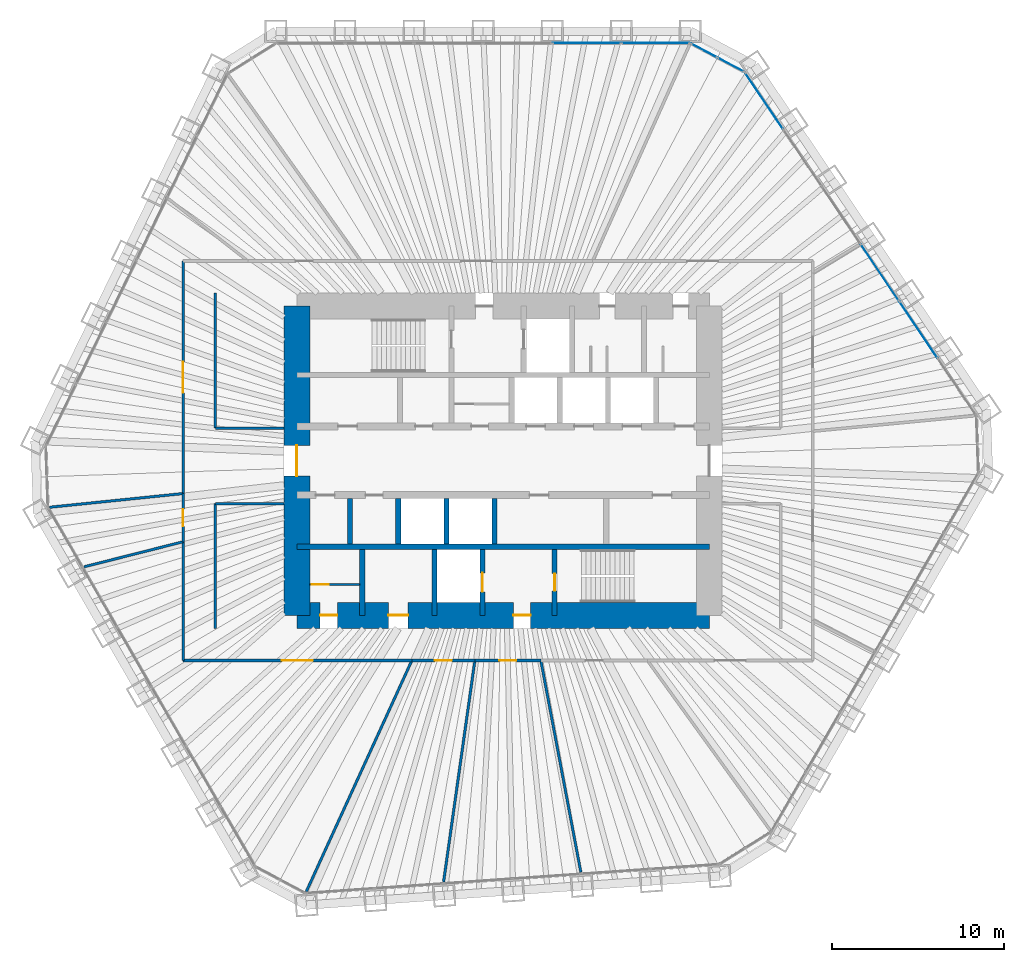
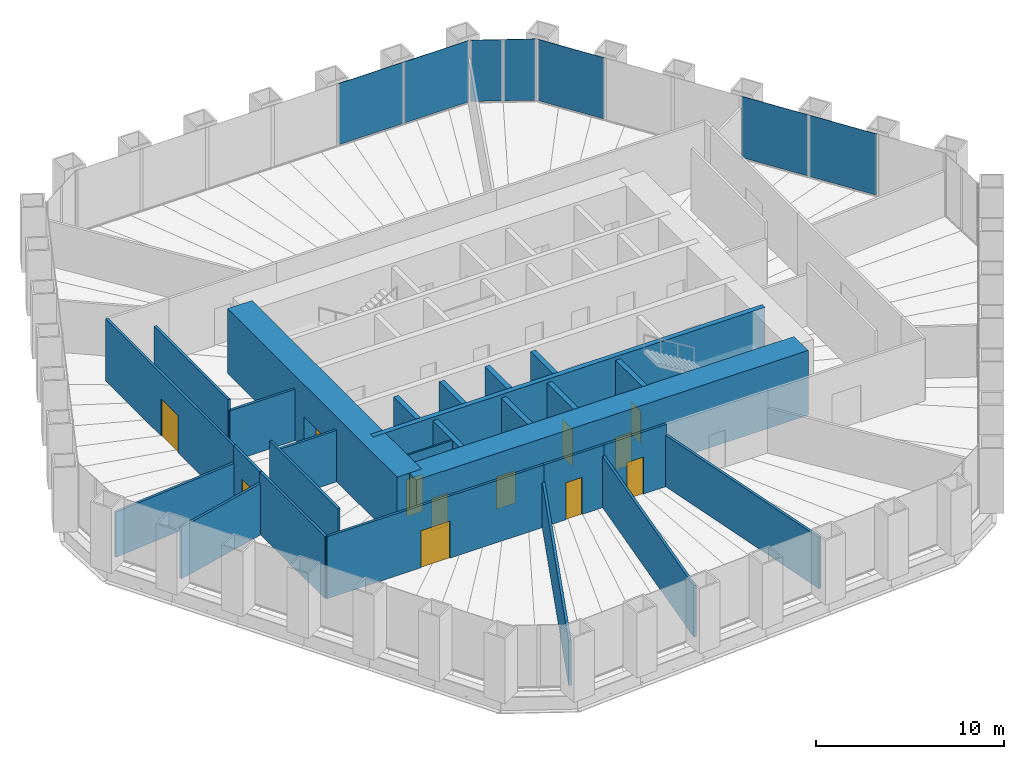
# One storey, part 10 of 13: 27 walls, 12 doors, 7 plates, 12 openings, 3 elements without a shape of their own.
"""IFC4 building model written with IfcOpenShell, lengths in metres."""

from ifc_helpers import new_model, si_unit, direction, frame, frame_2d, origin, origin_2d, place, context, subcontext, project, spatial, rectangle, extrude, material, layer, layer_set, type_object, element, fill, aggregate, save


model = new_model("IFC4")

# Units and contexts
model_context = context("Model", 3, precision=1e-05, world=origin(), true_north=direction((0.0, 1.0)))
body_context = subcontext(model_context, "Body", "Model", "MODEL_VIEW")
ifc_project = project(units=[si_unit("LENGTHUNIT", "METRE"), si_unit("AREAUNIT", "SQUARE_METRE"), si_unit("VOLUMEUNIT", "CUBIC_METRE"), si_unit("PLANEANGLEUNIT", "RADIAN"), si_unit("MASSUNIT", "GRAM", prefix="KILO")], contexts=[model_context])

# Site, building, storey
site_placement = place(None, origin())
site = spatial("IfcSite", under=ifc_project, at=site_placement, CompositionType="ELEMENT")
building_placement = place(site_placement, origin())
building = spatial("IfcBuilding", under=site, at=building_placement, Name="Qingtian Harvest Tower", CompositionType="ELEMENT")
storey_placement = place(building_placement, frame((0.0, 0.0, 115.60009765625)))
storey = spatial("IfcBuildingStorey", under=building, at=storey_placement, Name="L23", CompositionType="ELEMENT", Elevation=115.60009765625)

# Curtain wall, plates
ifc_material_1 = material(Name="Bronze-anodised aluminium curtain wall", Category="aluminium")
curtain_wall_type = type_object("IfcCurtainWallType", Name="Curtain wall CW4 office", PredefinedType="USERDEFINED", material=ifc_material_1)
curtain_wall_1_placement = place(storey_placement, origin())
curtain_wall_1 = element("IfcCurtainWall", 1, at=curtain_wall_1_placement, inside=storey, type_object=curtain_wall_type, Name="Curtain wall CW4 L23 N0-5", ObjectType="RECESSED CURTAIN WALL", PredefinedType="USERDEFINED")
ifc_material_2 = material(Name="Bronze-tinted laminated insulating glass", Category="glass")
ifc_layer_1 = layer(ifc_material_2, 0.030029296875)
ifc_layer_set_1 = layer_set([ifc_layer_1], Name="Glazed panel CWP tinted IGU")
plate_type = type_object("IfcPlateType", Name="Glazed panel CWP tinted IGU", PredefinedType="CURTAIN_PANEL", material=ifc_layer_set_1)
plate_1_placement = place(storey_placement, frame((4.864013671875, 24.300048828125, 0.06494140625), z_axis=(0.0, 0.0, 1.0), x_axis=(1.0, 0.0, 0.0)))
plate_1 = element("IfcPlate", 2, at=plate_1_placement, type_object=plate_type, Name="CW4 panel 5.1", PredefinedType="CURTAIN_PANEL", context=body_context, shape_type="SweptSolid", body=[
    extrude(rectangle(XDim=3.9541015625, YDim=0.030029296875, at=origin_2d()), origin(), (0.0, 0.0, 1.0), 3.965087890625),
])
plate_2_placement = place(storey_placement, frame((8.866943359375, 24.300048828125, 0.06494140625), z_axis=(0.0, 0.0, 1.0), x_axis=(1.0, 0.0, 0.0)))
plate_2 = element("IfcPlate", 3, at=plate_2_placement, type_object=plate_type, Name="CW4 panel 6.1", PredefinedType="CURTAIN_PANEL", context=body_context, shape_type="SweptSolid", body=[
    extrude(rectangle(XDim=3.921630859375, YDim=0.030029296875, at=origin_2d()), origin(), (0.0, 0.0, 1.0), 3.965087890625),
])
aggregate(curtain_wall_1, [plate_1, plate_2])

curtain_wall_2_placement = place(storey_placement, origin())
curtain_wall_2 = element("IfcCurtainWall", 4, at=curtain_wall_2_placement, inside=storey, type_object=curtain_wall_type, Name="Curtain wall CW4 L23 NC", ObjectType="RECESSED CURTAIN WALL", PredefinedType="USERDEFINED")
plate_3_placement = place(storey_placement, frame((11.697509765625, 23.8720703125, 0.06494140625), z_axis=(0.0, 0.0, 1.0), x_axis=(0.882947592859, -0.469471562786, 0.0)))
plate_3 = element("IfcPlate", 5, at=plate_3_placement, type_object=plate_type, Name="CW4 panel 1.1", PredefinedType="CURTAIN_PANEL", context=body_context, shape_type="SweptSolid", body=[
    extrude(rectangle(XDim=1.69287109375, YDim=0.030029296875, at=origin_2d()), origin(), (0.0, 0.0, 1.0), 3.965087890625),
])
plate_4_placement = place(storey_placement, frame((13.249755859375, 23.046875, 0.06494140625), z_axis=(0.0, 0.0, 1.0), x_axis=(0.882947592859, -0.469471562786, 0.0)))
plate_4 = element("IfcPlate", 6, at=plate_4_placement, type_object=plate_type, Name="CW4 panel 2.1", PredefinedType="CURTAIN_PANEL", context=body_context, shape_type="SweptSolid", body=[
    extrude(rectangle(XDim=1.69287109375, YDim=0.030029296875, at=origin_2d()), origin(), (0.0, 0.0, 1.0), 3.965087890625),
])
aggregate(curtain_wall_2, [plate_3, plate_4])

curtain_wall_3_placement = place(storey_placement, origin())
curtain_wall_3 = element("IfcCurtainWall", 7, at=curtain_wall_3_placement, inside=storey, type_object=curtain_wall_type, Name="Curtain wall CW4 L23 NE0-5", ObjectType="RECESSED CURTAIN WALL", PredefinedType="USERDEFINED")
plate_5_placement = place(storey_placement, frame((15.187255859375, 20.939453125, 0.06494140625), z_axis=(0.0, 0.0, 1.0), x_axis=(0.559192903471, -0.829037572555, 0.0)))
plate_5 = element("IfcPlate", 8, at=plate_5_placement, type_object=plate_type, Name="CW4 panel 1.1", PredefinedType="CURTAIN_PANEL", context=body_context, shape_type="SweptSolid", body=[
    extrude(rectangle(XDim=3.921630859375, YDim=0.030029296875, at=origin_2d()), origin(), (0.0, 0.0, 1.0), 3.965087890625),
])
plate_6_placement = place(storey_placement, frame((21.92041015625, 10.95703125, 0.06494140625), z_axis=(0.0, 0.0, 1.0), x_axis=(0.559192903471, -0.829037572555, 0.0)))
plate_6 = element("IfcPlate", 9, at=plate_6_placement, type_object=plate_type, Name="CW4 panel 4.1", PredefinedType="CURTAIN_PANEL", context=body_context, shape_type="SweptSolid", body=[
    extrude(rectangle(XDim=3.9541015625, YDim=0.030029296875, at=origin_2d()), origin(), (0.0, 0.0, 1.0), 3.965087890625),
])
plate_7_placement = place(storey_placement, frame((24.16796875, 7.625, 0.06494140625), z_axis=(0.0, 0.0, 1.0), x_axis=(0.559192903471, -0.829037572555, 0.0)))
plate_7 = element("IfcPlate", 10, at=plate_7_placement, type_object=plate_type, Name="CW4 panel 5.1", PredefinedType="CURTAIN_PANEL", context=body_context, shape_type="SweptSolid", body=[
    extrude(rectangle(XDim=3.9541015625, YDim=0.030029296875, at=origin_2d()), origin(), (0.0, 0.0, 1.0), 3.965087890625),
])
aggregate(curtain_wall_3, [plate_5, plate_6, plate_7])

# Walls
ifc_material_3 = material(Name="Concrete fc' 70 MPa", Category="concrete")
ifc_layer_2 = layer(ifc_material_3, 0.300048828125)
ifc_layer_set_2 = layer_set([ifc_layer_2], Name="Core inner wall RC5 300")
wall_type_1 = type_object("IfcWallType", Name="Core inner wall RC5 300", PredefinedType="SHEAR", material=ifc_layer_set_2)
wall_1_placement = place(storey_placement, frame((-12.0, -5.0, 0.0), z_axis=(0.0, 0.0, 1.0), x_axis=(1.0, 0.0, 0.0)))
element("IfcWall", 11, at=wall_1_placement, inside=storey, type_object=wall_type_1, Name="Core wall IS5 L23", PredefinedType="SHEAR", context=body_context, shape_type="SweptSolid", body=[
    extrude(rectangle(XDim=24.0, YDim=0.300048828125, at=frame_2d((12.0, 0.0))), origin(), (0.0, 0.0, 1.0), 4.199951171875),
])
ifc_material_4 = material(Name="Precast concrete shaft panel", Category="concrete")
ifc_layer_3 = layer(ifc_material_4, 0.300048828125)
ifc_layer_set_3 = layer_set([ifc_layer_3], Name="Core shaft partition SW1 300")
wall_type_2 = type_object("IfcWallType", Name="Core shaft partition SW1 300", PredefinedType="PARTITIONING", material=ifc_layer_set_3)
for number, where, z_axis, x_axis, name in (
    (12, (-8.89990234375, -4.85009765625, 0.0), (0.0, 0.0, 1.0), (0.0, 1.0, 0.0), "Core shaft partition XB1 L23"),
    (13, (-6.10009765625, -4.85009765625, 0.0), (0.0, 0.0, 1.0), (0.0, 1.0, 0.0), "Core shaft partition XB2 L23"),
    (14, (-3.300048828125, -4.85009765625, 0.0), (0.0, 0.0, 1.0), (0.0, 1.0, 0.0), "Core shaft partition XB3 L23"),
    (15, (-0.5, -4.85009765625, 0.0), (0.0, 0.0, 1.0), (0.0, 1.0, 0.0), "Core shaft partition XB4 L23"),
):
    element("IfcWall", number, at=place(storey_placement, frame(where, z_axis=z_axis, x_axis=x_axis)), inside=storey, type_object=wall_type_2, Name=name, PredefinedType="PARTITIONING", context=body_context, shape_type="SweptSolid", body=[
        extrude(rectangle(XDim=2.650146484375, YDim=0.300048828125, at=frame_2d((1.3251953125, 0.0))), origin(), (0.0, 0.0, 1.0), 3.97998046875),
    ])
for number, where, z_axis, x_axis, name in (
    (16, (-8.199951171875, -9.0, 0.0), (0.0, 0.0, 1.0), (0.0, 1.0, 0.0), "Core shaft partition XS1 L23"),
    (17, (-4.0, -9.0, 0.0), (0.0, 0.0, 1.0), (0.0, 1.0, 0.0), "Core shaft partition XS2 L23"),
):
    element("IfcWall", number, at=place(storey_placement, frame(where, z_axis=z_axis, x_axis=x_axis)), inside=storey, type_object=wall_type_2, Name=name, PredefinedType="PARTITIONING", context=body_context, shape_type="SweptSolid", body=[
        extrude(rectangle(XDim=3.85009765625, YDim=0.300048828125, at=frame_2d((1.925048828125, 0.0))), origin(), (0.0, 0.0, 1.0), 3.97998046875),
    ])

# Wall, opening, door
wall_2_placement = place(storey_placement, frame((-1.199951171875, -9.0, 0.0), z_axis=(0.0, 0.0, 1.0), x_axis=(0.0, 1.0, 0.0)))
wall_2 = element("IfcWall", 18, at=wall_2_placement, inside=storey, type_object=wall_type_2, Name="Core shaft partition XS3 L23", PredefinedType="PARTITIONING", context=body_context, shape_type="SweptSolid", body=[
    extrude(rectangle(XDim=3.85009765625, YDim=0.300048828125, at=frame_2d((1.925048828125, 0.0))), origin(), (0.0, 0.0, 1.0), 3.97998046875),
])
opening_1_placement = place(wall_2_placement, frame((1.375, 0.0, 0.0)))
opening_1 = element("IfcOpeningElement", 19, at=opening_1_placement, cuts=wall_2, Name="Opening LD1", PredefinedType="OPENING", context=body_context, shape_type="SweptSolid", body=[
    extrude(rectangle(XDim=1.10009765625, YDim=2.39990234375, at=frame_2d((0.550048828125, 1.199951171875))), frame((0.0, 0.159912109375, 0.0), z_axis=(0.0, -1.0, 0.0), x_axis=(1.0, 0.0, 0.0)), (0.0, 0.0, 1.0), 0.320068359375),
])
ifc_material_5 = material(Name="Stainless steel lift landing door", Category="steel")
door_type_1 = type_object("IfcDoorType", Name="Lift landing door LD1 1 HR", OperationType="DOUBLE_DOOR_SLIDING", PredefinedType="DOOR", material=ifc_material_5)
door_1_placement = place(opening_1_placement, origin())
door_1 = element("IfcDoor", 20, at=door_1_placement, inside=storey, type_object=door_type_1, Name="FL2 landing door L23", OperationType="DOUBLE_DOOR_SLIDING", OverallHeight=2.39990234375, OverallWidth=1.10009765625, PredefinedType="DOOR", context=body_context, shape_type="SweptSolid", body=[
    extrude(rectangle(XDim=1.10009765625, YDim=2.39990234375, at=frame_2d((0.550048828125, 1.199951171875))), frame((0.0, 0.02490234375, 0.0), z_axis=(0.0, -1.0, 0.0), x_axis=(1.0, 0.0, 0.0)), (0.0, 0.0, 1.0), 0.050048828125),
])
fill(opening_1, door_1)

wall_3_placement = place(storey_placement, frame((3.0, -9.0, 0.0), z_axis=(0.0, 0.0, 1.0), x_axis=(0.0, 1.0, 0.0)))
wall_3 = element("IfcWall", 21, at=wall_3_placement, inside=storey, type_object=wall_type_2, Name="Core shaft partition XS4 L23", PredefinedType="PARTITIONING", context=body_context, shape_type="SweptSolid", body=[
    extrude(rectangle(XDim=3.85009765625, YDim=0.300048828125, at=frame_2d((1.925048828125, 0.0))), origin(), (0.0, 0.0, 1.0), 3.97998046875),
])
opening_2_placement = place(wall_3_placement, frame((1.425048828125, 0.0, 0.0)))
opening_2 = element("IfcOpeningElement", 22, at=opening_2_placement, cuts=wall_3, Name="Opening FD1", PredefinedType="OPENING", context=body_context, shape_type="SweptSolid", body=[
    extrude(rectangle(XDim=1.0, YDim=2.10009765625, at=frame_2d((0.5, 1.050048828125))), frame((0.0, 0.159912109375, 0.0), z_axis=(0.0, -1.0, 0.0), x_axis=(1.0, 0.0, 0.0)), (0.0, 0.0, 1.0), 0.320068359375),
])
ifc_material_6 = material(Name="Steel-faced door leaf", Category="steel")
door_type_2 = type_object("IfcDoorType", Name="Fire door FD1 single 1 HR", OperationType="SINGLE_SWING_LEFT", PredefinedType="DOOR", material=ifc_material_6)
door_2_placement = place(opening_2_placement, origin())
door_2 = element("IfcDoor", 23, at=door_2_placement, inside=storey, type_object=door_type_2, Name="S2 door L23", OperationType="SINGLE_SWING_RIGHT", OverallHeight=2.10009765625, OverallWidth=1.0, PredefinedType="DOOR", context=body_context, shape_type="SweptSolid", body=[
    extrude(rectangle(XDim=1.0, YDim=2.10009765625, at=frame_2d((0.5, 1.050048828125))), frame((0.0, 0.02490234375, 0.0), z_axis=(0.0, -1.0, 0.0), x_axis=(1.0, 0.0, 0.0)), (0.0, 0.0, 1.0), 0.050048828125),
])
fill(opening_2, door_2)

# Wall, openings, doors
ifc_material_7 = material(Name="Concrete fc' 70 MPa", Category="concrete")
ifc_layer_4 = layer(ifc_material_7, 1.5)
ifc_layer_set_4 = layer_set([ifc_layer_4], Name="Core wall RC1 1500")
wall_type_3 = type_object("IfcWallType", Name="Core wall RC1 1500", PredefinedType="SHEAR", material=ifc_layer_set_4)
wall_4_placement = place(storey_placement, frame((-12.0, -9.0, 0.0), z_axis=(0.0, 0.0, 1.0), x_axis=(1.0, 0.0, 0.0)))
wall_4 = element("IfcWall", 24, at=wall_4_placement, inside=storey, type_object=wall_type_3, Name="Core wall CS L23", PredefinedType="SHEAR", context=body_context, shape_type="SweptSolid", body=[
    extrude(rectangle(XDim=24.0, YDim=1.5, at=frame_2d((12.0, 0.0))), origin(), (0.0, 0.0, 1.0), 4.199951171875),
])
opening_3_placement = place(wall_4_placement, frame((1.35009765625, 0.0, 0.0)))
opening_3 = element("IfcOpeningElement", 25, at=opening_3_placement, cuts=wall_4, Name="Opening FD1", PredefinedType="OPENING", context=body_context, shape_type="SweptSolid", body=[
    extrude(rectangle(XDim=1.0, YDim=2.10009765625, at=frame_2d((0.5, 1.050048828125))), frame((0.0, 0.760009765625, 0.0), z_axis=(0.0, -1.0, 0.0), x_axis=(1.0, 0.0, 0.0)), (0.0, 0.0, 1.0), 1.52001953125),
])
opening_4_placement = place(wall_4_placement, frame((5.324951171875, 0.0, 0.0)))
opening_4 = element("IfcOpeningElement", 26, at=opening_4_placement, cuts=wall_4, Name="Opening AD1", PredefinedType="OPENING", context=body_context, shape_type="SweptSolid", body=[
    extrude(rectangle(XDim=1.14990234375, YDim=2.10009765625, at=frame_2d((0.574951171875, 1.050048828125))), frame((0.0, 0.760009765625, 0.0), z_axis=(0.0, -1.0, 0.0), x_axis=(1.0, 0.0, 0.0)), (0.0, 0.0, 1.0), 1.52001953125),
])
opening_5_placement = place(wall_4_placement, frame((12.60009765625, 0.0, 0.0)))
opening_5 = element("IfcOpeningElement", 27, at=opening_5_placement, cuts=wall_4, Name="Opening FD1", PredefinedType="OPENING", context=body_context, shape_type="SweptSolid", body=[
    extrude(rectangle(XDim=1.0, YDim=2.10009765625, at=frame_2d((0.5, 1.050048828125))), frame((0.0, 0.760009765625, 0.0), z_axis=(0.0, -1.0, 0.0), x_axis=(1.0, 0.0, 0.0)), (0.0, 0.0, 1.0), 1.52001953125),
])
ifc_material_8 = material(Name="Laminated timber door leaf", Category="wood")
door_type_3 = type_object("IfcDoorType", Name="Accessible WC door AD1 single", OperationType="SINGLE_SWING_LEFT", PredefinedType="DOOR", material=ifc_material_8)
door_3_placement = place(opening_4_placement, origin())
door_3 = element("IfcDoor", 28, at=door_3_placement, inside=storey, type_object=door_type_3, Name="AWC door L23", OperationType="SINGLE_SWING_RIGHT", OverallHeight=2.10009765625, OverallWidth=1.14990234375, PredefinedType="DOOR", context=body_context, shape_type="SweptSolid", body=[
    extrude(rectangle(XDim=1.14990234375, YDim=2.10009765625, at=frame_2d((0.574951171875, 1.050048828125))), frame((0.0, 0.02490234375, 0.0), z_axis=(0.0, -1.0, 0.0), x_axis=(1.0, 0.0, 0.0)), (0.0, 0.0, 1.0), 0.050048828125),
])
fill(opening_4, door_3)
door_4_placement = place(opening_3_placement, origin())
door_4 = element("IfcDoor", 29, at=door_4_placement, inside=storey, type_object=door_type_2, Name="CLN door L23", OperationType="SINGLE_SWING_LEFT", OverallHeight=2.10009765625, OverallWidth=1.0, PredefinedType="DOOR", context=body_context, shape_type="SweptSolid", body=[
    extrude(rectangle(XDim=1.0, YDim=2.10009765625, at=frame_2d((0.5, 1.050048828125))), frame((0.0, 0.02490234375, 0.0), z_axis=(0.0, -1.0, 0.0), x_axis=(1.0, 0.0, 0.0)), (0.0, 0.0, 1.0), 0.050048828125),
])
fill(opening_3, door_4)
door_5_placement = place(opening_5_placement, origin())
door_5 = element("IfcDoor", 30, at=door_5_placement, inside=storey, type_object=door_type_2, Name="V2 door L23", OperationType="SINGLE_SWING_LEFT", OverallHeight=2.10009765625, OverallWidth=1.0, PredefinedType="DOOR", context=body_context, shape_type="SweptSolid", body=[
    extrude(rectangle(XDim=1.0, YDim=2.10009765625, at=frame_2d((0.5, 1.050048828125))), frame((0.0, 0.02490234375, 0.0), z_axis=(0.0, -1.0, 0.0), x_axis=(1.0, 0.0, 0.0)), (0.0, 0.0, 1.0), 0.050048828125),
])
fill(opening_5, door_5)

# Wall, opening, door
wall_5_placement = place(storey_placement, frame((-12.0, -9.0, 0.0), z_axis=(0.0, 0.0, 1.0), x_axis=(0.0, 1.0, 0.0)))
wall_5 = element("IfcWall", 31, at=wall_5_placement, inside=storey, type_object=wall_type_3, Name="Core wall CW L23", PredefinedType="SHEAR", context=body_context, shape_type="SweptSolid", body=[
    extrude(rectangle(XDim=18.0, YDim=1.5, at=frame_2d((9.0, 0.0))), origin(), (0.0, 0.0, 1.0), 4.199951171875),
])
opening_6_placement = place(wall_5_placement, frame((8.10009765625, 0.0, 0.0)))
opening_6 = element("IfcOpeningElement", 32, at=opening_6_placement, cuts=wall_5, Name="Opening FD2", PredefinedType="OPENING", context=body_context, shape_type="SweptSolid", body=[
    extrude(rectangle(XDim=1.800048828125, YDim=2.10009765625, at=frame_2d((0.89990234375, 1.050048828125))), frame((0.0, 0.760009765625, 0.0), z_axis=(0.0, -1.0, 0.0), x_axis=(1.0, 0.0, 0.0)), (0.0, 0.0, 1.0), 1.52001953125),
])
ifc_material_9 = material(Name="Steel-faced door leaf", Category="steel")
door_type_4 = type_object("IfcDoorType", Name="Fire door FD2 double 1 HR", OperationType="DOUBLE_DOOR_DOUBLE_SWING", PredefinedType="DOOR", material=ifc_material_9)
door_6_placement = place(opening_6_placement, origin())
door_6 = element("IfcDoor", 33, at=door_6_placement, inside=storey, type_object=door_type_4, Name="LOBBY-W door L23", OperationType="DOUBLE_DOOR_DOUBLE_SWING", OverallHeight=2.10009765625, OverallWidth=1.800048828125, PredefinedType="DOOR", context=body_context, shape_type="SweptSolid", body=[
    extrude(rectangle(XDim=1.800048828125, YDim=2.10009765625, at=frame_2d((0.89990234375, 1.050048828125))), frame((0.0, 0.02490234375, 0.0), z_axis=(0.0, -1.0, 0.0), x_axis=(1.0, 0.0, 0.0)), (0.0, 0.0, 1.0), 0.050048828125),
])
fill(opening_6, door_6)

# Wall
ifc_material_10 = material(Name="Gypsum board on steel studs", Category="steel")
ifc_layer_5 = layer(ifc_material_10, 0.14990234375)
ifc_layer_set_5 = layer_set([ifc_layer_5], Name="Partition PT1 150")
wall_type_4 = type_object("IfcWallType", Name="Partition PT1 150", PredefinedType="PARTITIONING", material=ifc_layer_set_5)
wall_6_placement = place(storey_placement, frame((4.524169921875, -23.943359375, 0.0), z_axis=(0.0, 0.0, 1.0), x_axis=(-0.185671124909, 0.98261194445, 0.0)))
element("IfcWall", 34, at=wall_6_placement, inside=storey, type_object=wall_type_4, Name="Focus room wall L23", PredefinedType="PARTITIONING", context=body_context, shape_type="SweptSolid", body=[
    extrude(rectangle(XDim=12.536376953125, YDim=0.14990234375, at=frame_2d((6.26806640625, 0.0))), origin(), (0.0, 0.0, 1.0), 3.329833984375),
])

# Wall, opening, door
wall_7_placement = place(storey_placement, frame((2.196533203125, -11.625, 0.0), z_axis=(0.0, 0.0, 1.0), x_axis=(-1.0, 0.0, 0.0)))
wall_7 = element("IfcWall", 35, at=wall_7_placement, inside=storey, type_object=wall_type_4, Name="Focus room wall L23", PredefinedType="PARTITIONING", context=body_context, shape_type="SweptSolid", body=[
    extrude(rectangle(XDim=3.8388671875, YDim=0.14990234375, at=frame_2d((1.91943359375, 0.0))), origin(), (0.0, 0.0, 1.0), 4.02978515625),
])
opening_7_placement = place(wall_7_placement, frame((1.41943359375, 0.0, 0.0)))
opening_7 = element("IfcOpeningElement", 36, at=opening_7_placement, cuts=wall_7, Name="Opening D2", PredefinedType="OPENING", context=body_context, shape_type="SweptSolid", body=[
    extrude(rectangle(XDim=1.0, YDim=2.39990234375, at=frame_2d((0.5, 1.199951171875))), frame((0.0, 0.0849609375, 0.0), z_axis=(0.0, -1.0, 0.0), x_axis=(1.0, 0.0, 0.0)), (0.0, 0.0, 1.0), 0.169921875),
])
ifc_material_11 = material(Name="Laminated timber door leaf", Category="wood")
door_type_5 = type_object("IfcDoorType", Name="Room door D2 single", OperationType="SINGLE_SWING_LEFT", PredefinedType="DOOR", material=ifc_material_11)
door_7_placement = place(opening_7_placement, origin())
door_7 = element("IfcDoor", 37, at=door_7_placement, inside=storey, type_object=door_type_5, Name="Focus room door L23", OperationType="SINGLE_SWING_RIGHT", OverallHeight=2.39990234375, OverallWidth=1.0, PredefinedType="DOOR", context=body_context, shape_type="SweptSolid", body=[
    extrude(rectangle(XDim=1.0, YDim=2.39990234375, at=frame_2d((0.5, 1.199951171875))), frame((0.0, 0.02490234375, 0.0), z_axis=(0.0, -1.0, 0.0), x_axis=(1.0, 0.0, 0.0)), (0.0, 0.0, 1.0), 0.050048828125),
])
fill(opening_7, door_7)

# Wall
wall_8_placement = place(storey_placement, frame((-3.4619140625, -24.50341796875, 0.0), z_axis=(0.0, 0.0, 1.0), x_axis=(0.139899618934, 0.990165691499, 0.0)))
element("IfcWall", 38, at=wall_8_placement, inside=storey, type_object=wall_type_4, Name="Print room wall L23", PredefinedType="PARTITIONING", context=body_context, shape_type="SweptSolid", body=[
    extrude(rectangle(XDim=13.00634765625, YDim=0.14990234375, at=frame_2d((6.503173828125, 0.0))), origin(), (0.0, 0.0, 1.0), 3.329833984375),
])

# Wall, opening, door
wall_9_placement = place(storey_placement, frame((-1.642333984375, -11.625, 0.0), z_axis=(0.0, 0.0, 1.0), x_axis=(-1.0, 0.0, 0.0)))
wall_9 = element("IfcWall", 39, at=wall_9_placement, inside=storey, type_object=wall_type_4, Name="Print room wall L23", PredefinedType="PARTITIONING", context=body_context, shape_type="SweptSolid", body=[
    extrude(rectangle(XDim=3.66796875, YDim=0.14990234375, at=frame_2d((1.833984375, 0.0))), origin(), (0.0, 0.0, 1.0), 4.02978515625),
])
opening_8_placement = place(wall_9_placement, frame((1.333984375, 0.0, 0.0)))
opening_8 = element("IfcOpeningElement", 40, at=opening_8_placement, cuts=wall_9, Name="Opening D2", PredefinedType="OPENING", context=body_context, shape_type="SweptSolid", body=[
    extrude(rectangle(XDim=1.0, YDim=2.39990234375, at=frame_2d((0.5, 1.199951171875))), frame((0.0, 0.0849609375, 0.0), z_axis=(0.0, -1.0, 0.0), x_axis=(1.0, 0.0, 0.0)), (0.0, 0.0, 1.0), 0.169921875),
])
door_8_placement = place(opening_8_placement, origin())
door_8 = element("IfcDoor", 41, at=door_8_placement, inside=storey, type_object=door_type_5, Name="Print room door L23", OperationType="SINGLE_SWING_RIGHT", OverallHeight=2.39990234375, OverallWidth=1.0, PredefinedType="DOOR", context=body_context, shape_type="SweptSolid", body=[
    extrude(rectangle(XDim=1.0, YDim=2.39990234375, at=frame_2d((0.5, 1.199951171875))), frame((0.0, 0.02490234375, 0.0), z_axis=(0.0, -1.0, 0.0), x_axis=(1.0, 0.0, 0.0)), (0.0, 0.0, 1.0), 0.050048828125),
])
fill(opening_8, door_8)

# Wall
wall_10_placement = place(storey_placement, frame((-11.452880859375, -25.072265625, 0.0), z_axis=(0.0, 0.0, 1.0), x_axis=(0.415494357555, 0.909595755729, 0.0)))
element("IfcWall", 42, at=wall_10_placement, inside=storey, type_object=wall_type_4, Name="Office suite wall L23", PredefinedType="PARTITIONING", context=body_context, shape_type="SweptSolid", body=[
    extrude(rectangle(XDim=14.78369140625, YDim=0.14990234375, at=frame_2d((7.391845703125, 0.0))), origin(), (0.0, 0.0, 1.0), 2.929931640625),
])

# Wall, opening, door
wall_11_placement = place(storey_placement, frame((-5.310302734375, -11.625, 0.0), z_axis=(0.0, 0.0, 1.0), x_axis=(-1.0, 0.0, 0.0)))
wall_11 = element("IfcWall", 43, at=wall_11_placement, inside=storey, type_object=wall_type_4, Name="Office suite wall L23", PredefinedType="PARTITIONING", context=body_context, shape_type="SweptSolid", body=[
    extrude(rectangle(XDim=13.314697265625, YDim=0.14990234375, at=frame_2d((6.6572265625, 0.0))), origin(), (0.0, 0.0, 1.0), 4.02978515625),
])
opening_9_placement = place(wall_11_placement, frame((5.75732421875, 0.0, 0.0)))
opening_9 = element("IfcOpeningElement", 44, at=opening_9_placement, cuts=wall_11, Name="Opening D3", PredefinedType="OPENING", context=body_context, shape_type="SweptSolid", body=[
    extrude(rectangle(XDim=1.800048828125, YDim=2.39990234375, at=frame_2d((0.89990234375, 1.199951171875))), frame((0.0, 0.0849609375, 0.0), z_axis=(0.0, -1.0, 0.0), x_axis=(1.0, 0.0, 0.0)), (0.0, 0.0, 1.0), 0.169921875),
])
ifc_material_12 = material(Name="Laminated timber door leaf", Category="wood")
door_type_6 = type_object("IfcDoorType", Name="Room door D3 double", OperationType="DOUBLE_DOOR_DOUBLE_SWING", PredefinedType="DOOR", material=ifc_material_12)
door_9_placement = place(opening_9_placement, origin())
door_9 = element("IfcDoor", 45, at=door_9_placement, inside=storey, type_object=door_type_6, Name="Office suite door L23", OperationType="DOUBLE_DOOR_DOUBLE_SWING", OverallHeight=2.39990234375, OverallWidth=1.800048828125, PredefinedType="DOOR", context=body_context, shape_type="SweptSolid", body=[
    extrude(rectangle(XDim=1.800048828125, YDim=2.39990234375, at=frame_2d((0.89990234375, 1.199951171875))), frame((0.0, 0.02490234375, 0.0), z_axis=(0.0, -1.0, 0.0), x_axis=(1.0, 0.0, 0.0)), (0.0, 0.0, 1.0), 0.050048828125),
])
fill(opening_9, door_9)

# Walls
wall_12_placement = place(storey_placement, frame((-18.625, -11.625, 0.0), z_axis=(0.0, 0.0, 1.0), x_axis=(0.0, 1.0, 0.0)))
element("IfcWall", 46, at=wall_12_placement, inside=storey, type_object=wall_type_4, Name="Office suite wall L23", PredefinedType="PARTITIONING", context=body_context, shape_type="SweptSolid", body=[
    extrude(rectangle(XDim=6.91015625, YDim=0.14990234375, at=frame_2d((3.455078125, 0.0))), origin(), (0.0, 0.0, 1.0), 4.02978515625),
])
wall_13_placement = place(storey_placement, frame((-24.38427734375, -6.172607421875, 0.0), z_axis=(0.0, 0.0, 1.0), x_axis=(0.969427635767, 0.245377380804, 0.0)))
element("IfcWall", 47, at=wall_13_placement, inside=storey, type_object=wall_type_4, Name="Store room wall L23", PredefinedType="PARTITIONING", context=body_context, shape_type="SweptSolid", body=[
    extrude(rectangle(XDim=5.94091796875, YDim=0.14990234375, at=frame_2d((2.970458984375, 0.0))), origin(), (0.0, 0.0, 1.0), 3.329833984375),
])

# Wall, opening, door
wall_14_placement = place(storey_placement, frame((-18.625, -4.71484375, 0.0), z_axis=(0.0, 0.0, 1.0), x_axis=(0.0, 1.0, 0.0)))
wall_14 = element("IfcWall", 48, at=wall_14_placement, inside=storey, type_object=wall_type_4, Name="Store room wall L23", PredefinedType="PARTITIONING", context=body_context, shape_type="SweptSolid", body=[
    extrude(rectangle(XDim=2.804931640625, YDim=0.14990234375, at=frame_2d((1.40234375, 0.0))), origin(), (0.0, 0.0, 1.0), 4.02978515625),
])
opening_10_placement = place(wall_14_placement, frame((0.90234375, 0.0, 0.0)))
opening_10 = element("IfcOpeningElement", 49, at=opening_10_placement, cuts=wall_14, Name="Opening D2", PredefinedType="OPENING", context=body_context, shape_type="SweptSolid", body=[
    extrude(rectangle(XDim=1.0, YDim=2.39990234375, at=frame_2d((0.5, 1.199951171875))), frame((0.0, 0.0849609375, 0.0), z_axis=(0.0, -1.0, 0.0), x_axis=(1.0, 0.0, 0.0)), (0.0, 0.0, 1.0), 0.169921875),
])
door_10_placement = place(opening_10_placement, origin())
door_10 = element("IfcDoor", 50, at=door_10_placement, inside=storey, type_object=door_type_5, Name="Store room door L23", OperationType="SINGLE_SWING_RIGHT", OverallHeight=2.39990234375, OverallWidth=1.0, PredefinedType="DOOR", context=body_context, shape_type="SweptSolid", body=[
    extrude(rectangle(XDim=1.0, YDim=2.39990234375, at=frame_2d((0.5, 1.199951171875))), frame((0.0, 0.02490234375, 0.0), z_axis=(0.0, -1.0, 0.0), x_axis=(1.0, 0.0, 0.0)), (0.0, 0.0, 1.0), 0.050048828125),
])
fill(opening_10, door_10)

# Wall
wall_15_placement = place(storey_placement, frame((-26.391357421875, -2.706298828125, 0.0), z_axis=(0.0, 0.0, 1.0), x_axis=(0.994783554373, 0.10200823471, 0.0)))
element("IfcWall", 51, at=wall_15_placement, inside=storey, type_object=wall_type_4, Name="Meeting room wall L23", PredefinedType="PARTITIONING", context=body_context, shape_type="SweptSolid", body=[
    extrude(rectangle(XDim=7.80712890625, YDim=0.14990234375, at=frame_2d((3.903564453125, 0.0))), origin(), (0.0, 0.0, 1.0), 2.929931640625),
])

# Wall, opening, door
wall_16_placement = place(storey_placement, frame((-18.625, -1.909912109375, 0.0), z_axis=(0.0, 0.0, 1.0), x_axis=(0.0, 1.0, 0.0)))
wall_16 = element("IfcWall", 52, at=wall_16_placement, inside=storey, type_object=wall_type_4, Name="Meeting room wall L23", PredefinedType="PARTITIONING", context=body_context, shape_type="SweptSolid", body=[
    extrude(rectangle(XDim=13.534912109375, YDim=0.14990234375, at=frame_2d((6.767578125, 0.0))), origin(), (0.0, 0.0, 1.0), 4.02978515625),
])
opening_11_placement = place(wall_16_placement, frame((5.867431640625, 0.0, 0.0)))
opening_11 = element("IfcOpeningElement", 53, at=opening_11_placement, cuts=wall_16, Name="Opening D3", PredefinedType="OPENING", context=body_context, shape_type="SweptSolid", body=[
    extrude(rectangle(XDim=1.800048828125, YDim=2.39990234375, at=frame_2d((0.89990234375, 1.199951171875))), frame((0.0, 0.0849609375, 0.0), z_axis=(0.0, -1.0, 0.0), x_axis=(1.0, 0.0, 0.0)), (0.0, 0.0, 1.0), 0.169921875),
])
door_11_placement = place(opening_11_placement, origin())
door_11 = element("IfcDoor", 54, at=door_11_placement, inside=storey, type_object=door_type_6, Name="Meeting room door L23", OperationType="DOUBLE_DOOR_DOUBLE_SWING", OverallHeight=2.39990234375, OverallWidth=1.800048828125, PredefinedType="DOOR", context=body_context, shape_type="SweptSolid", body=[
    extrude(rectangle(XDim=1.800048828125, YDim=2.39990234375, at=frame_2d((0.89990234375, 1.199951171875))), frame((0.0, 0.02490234375, 0.0), z_axis=(0.0, -1.0, 0.0), x_axis=(1.0, 0.0, 0.0)), (0.0, 0.0, 1.0), 0.050048828125),
])
fill(opening_11, door_11)

# Walls
wall_17_placement = place(storey_placement, frame((-16.75, 1.89990234375, 0.0), z_axis=(0.0, 0.0, 1.0), x_axis=(0.0, 1.0, 0.0)))
element("IfcWall", 55, at=wall_17_placement, inside=storey, type_object=wall_type_4, Name="Reading area wall L23", PredefinedType="PARTITIONING", context=body_context, shape_type="SweptSolid", body=[
    extrude(rectangle(XDim=7.85009765625, YDim=0.14990234375, at=frame_2d((3.925048828125, 0.0))), origin(), (0.0, 0.0, 1.0), 4.02978515625),
])
wall_18_placement = place(storey_placement, frame((-12.75, 1.89990234375, 0.0), z_axis=(0.0, 0.0, 1.0), x_axis=(-1.0, 0.0, 0.0)))
element("IfcWall", 56, at=wall_18_placement, inside=storey, type_object=wall_type_4, Name="Reading area wall L23", PredefinedType="PARTITIONING", context=body_context, shape_type="SweptSolid", body=[
    extrude(rectangle(XDim=4.0, YDim=0.14990234375, at=frame_2d((2.0, 0.0))), origin(), (0.0, 0.0, 1.0), 3.329833984375),
])
wall_19_placement = place(storey_placement, frame((-16.75, -9.75, 0.0), z_axis=(0.0, 0.0, 1.0), x_axis=(0.0, 1.0, 0.0)))
element("IfcWall", 57, at=wall_19_placement, inside=storey, type_object=wall_type_4, Name="Coffee point wall L23", PredefinedType="PARTITIONING", context=body_context, shape_type="SweptSolid", body=[
    extrude(rectangle(XDim=7.25, YDim=0.14990234375, at=frame_2d((3.625, 0.0))), origin(), (0.0, 0.0, 1.0), 4.02978515625),
])
wall_20_placement = place(storey_placement, frame((-12.75, -2.5, 0.0), z_axis=(0.0, 0.0, 1.0), x_axis=(-1.0, 0.0, 0.0)))
element("IfcWall", 58, at=wall_20_placement, inside=storey, type_object=wall_type_4, Name="Coffee point wall L23", PredefinedType="PARTITIONING", context=body_context, shape_type="SweptSolid", body=[
    extrude(rectangle(XDim=4.0, YDim=0.14990234375, at=frame_2d((2.0, 0.0))), origin(), (0.0, 0.0, 1.0), 3.329833984375),
])

# Wall, opening, door
ifc_material_13 = material(Name="Concrete block partition", Category="concrete")
ifc_layer_6 = layer(ifc_material_13, 0.10009765625)
ifc_layer_set_6 = layer_set([ifc_layer_6], Name="Store partition PT3 100")
wall_type_5 = type_object("IfcWallType", Name="Store partition PT3 100", PredefinedType="PARTITIONING", material=ifc_layer_set_6)
wall_21_placement = place(storey_placement, frame((-11.25, -7.199951171875, 0.0), z_axis=(0.0, 0.0, 1.0), x_axis=(1.0, 0.0, 0.0)))
wall_21 = element("IfcWall", 59, at=wall_21_placement, inside=storey, type_object=wall_type_5, Name="Waste store wall L23", PredefinedType="PARTITIONING", context=body_context, shape_type="SweptSolid", body=[
    extrude(rectangle(XDim=2.89990234375, YDim=0.10009765625, at=frame_2d((1.449951171875, 0.0))), origin(), (0.0, 0.0, 1.0), 3.97998046875),
])
opening_12_placement = place(wall_21_placement, frame((0.10009765625, 0.0, 0.0)))
opening_12 = element("IfcOpeningElement", 60, at=opening_12_placement, cuts=wall_21, Name="Opening D2", PredefinedType="OPENING", context=body_context, shape_type="SweptSolid", body=[
    extrude(rectangle(XDim=1.0, YDim=2.39990234375, at=frame_2d((0.5, 1.199951171875))), frame((0.0, 0.06005859375, 0.0), z_axis=(0.0, -1.0, 0.0), x_axis=(1.0, 0.0, 0.0)), (0.0, 0.0, 1.0), 0.1201171875),
])
door_12_placement = place(opening_12_placement, origin())
door_12 = element("IfcDoor", 61, at=door_12_placement, inside=storey, type_object=door_type_5, Name="Waste store door L23", OperationType="SINGLE_SWING_LEFT", OverallHeight=2.39990234375, OverallWidth=1.0, PredefinedType="DOOR", context=body_context, shape_type="SweptSolid", body=[
    extrude(rectangle(XDim=1.0, YDim=2.39990234375, at=frame_2d((0.5, 1.199951171875))), frame((0.0, 0.02490234375, 0.0), z_axis=(0.0, -1.0, 0.0), x_axis=(1.0, 0.0, 0.0)), (0.0, 0.0, 1.0), 0.050048828125),
])
fill(opening_12, door_12)

save(model, "model.ifc")
